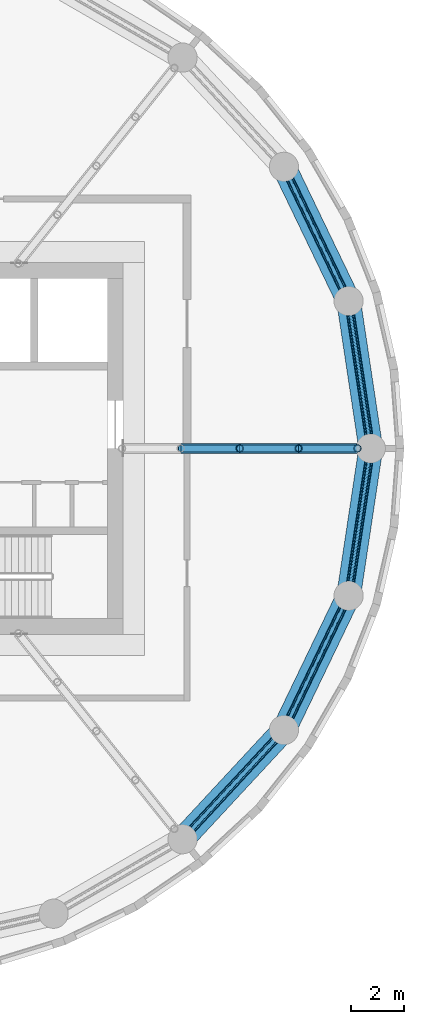
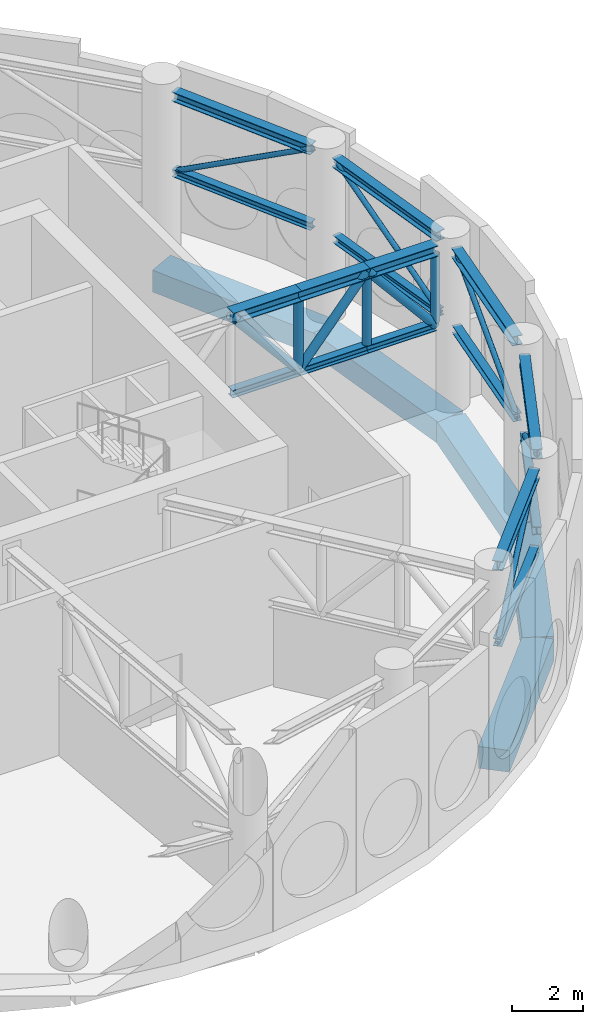
# One storey, part 5 of 13: 27 members, 5 beams.
"""IFC4 building model written with IfcOpenShell, lengths in metres."""

from ifc_helpers import new_model, si_unit, direction, frame, origin, origin_2d, place, context, subcontext, project, spatial, rectangle, hollow_circle, i_section, extrude, material, material_profile, profile_set, type_object, element, save


model = new_model("IFC4")

# Units and contexts
model_context = context("Model", 3, precision=1e-05, world=origin(), true_north=direction((0.0, 1.0)))
body_context = subcontext(model_context, "Body", "Model", "MODEL_VIEW")
ifc_project = project(units=[si_unit("LENGTHUNIT", "METRE"), si_unit("AREAUNIT", "SQUARE_METRE"), si_unit("VOLUMEUNIT", "CUBIC_METRE"), si_unit("PLANEANGLEUNIT", "RADIAN"), si_unit("MASSUNIT", "GRAM", prefix="KILO")], contexts=[model_context])

# Site, building, storey
site_placement = place(None, origin())
site = spatial("IfcSite", under=ifc_project, at=site_placement, CompositionType="ELEMENT")
building_placement = place(site_placement, origin())
building = spatial("IfcBuilding", under=site, at=building_placement, Name="Tracery Tower", CompositionType="ELEMENT")
storey_placement = place(building_placement, frame((0.0, 0.0, 277.800048828125)))
storey = spatial("IfcBuildingStorey", under=building, at=storey_placement, Name="L72 Plant", CompositionType="ELEMENT", Elevation=277.800048828125)

# Members
ifc_material_1 = material(Name="Steel S355", Category="steel")
ifc_material_profile_1 = material_profile(ifc_material_1, i_section(OverallWidth=0.25634765625, OverallDepth=0.26025390625, WebThickness=0.01025390625, FlangeThickness=0.017333984375, FilletRadius=0.0126953125, at=origin_2d()), Name="UKC 254x254x89")
ifc_profile_set_1 = profile_set([ifc_material_profile_1], Name="Steel S355")
member_type_1 = type_object("IfcMemberType", Name="Belt truss bottom chord UKC 254x254x89", PredefinedType="CHORD", material=ifc_profile_set_1)
member_1_placement = place(storey_placement, frame((18.755126953125, 0.445068359375, 2.830078125), z_axis=(-0.149065283454, 0.988827356655, 0.0), x_axis=(-0.988827356655, -0.149065283454, 0.0)))
element("IfcMember", 1, at=member_1_placement, inside=storey, type_object=member_type_1, Name="Belt truss bottom chord 1", PredefinedType="CHORD", context=body_context, shape_type="SweptSolid", body=[
    extrude(i_section(OverallWidth=0.25634765625, OverallDepth=0.26025390625, WebThickness=0.01025390625, FlangeThickness=0.017333984375, FilletRadius=0.0126953125, at=origin_2d()), origin(), (0.0, 0.0, 1.0), 4.71044921875),
])
for number, where, z_axis, x_axis, name in (
    (2, (17.790771484375, 5.953369140625, 2.830078125), (-0.433896647393, 0.900962651491, 0.0), (-0.900962651491, -0.433896647393, 0.0), "Belt truss bottom chord 2"),
    (3, (12.04150390625, -14.385986328125, 2.830078125), (0.680180699455, 0.733044484386, 0.0), (-0.733044484386, 0.680180699455, 0.0), "Belt truss bottom chord 19"),
    (4, (15.746826171875, -10.197509765625, 2.830078125), (0.433896647393, 0.900962651491, 0.0), (-0.900962651491, 0.433896647393, 0.0), "Belt truss bottom chord 20"),
):
    element("IfcMember", number, at=place(storey_placement, frame(where, z_axis=z_axis, x_axis=x_axis)), inside=storey, type_object=member_type_1, Name=name, PredefinedType="CHORD", context=body_context, shape_type="SweptSolid", body=[
        extrude(i_section(OverallWidth=0.25634765625, OverallDepth=0.26025390625, WebThickness=0.01025390625, FlangeThickness=0.017333984375, FilletRadius=0.0126953125, at=origin_2d()), origin(), (0.0, 0.0, 1.0), 4.710693359375),
    ])
member_2_placement = place(storey_placement, frame((18.052978515625, -5.102783203125, 2.830078125), z_axis=(0.149065283454, 0.988827356655, 0.0), x_axis=(-0.988827356655, 0.149065283454, 0.0)))
element("IfcMember", 5, at=member_2_placement, inside=storey, type_object=member_type_1, Name="Belt truss bottom chord 21", PredefinedType="CHORD", context=body_context, shape_type="SweptSolid", body=[
    extrude(i_section(OverallWidth=0.25634765625, OverallDepth=0.26025390625, WebThickness=0.01025390625, FlangeThickness=0.017333984375, FilletRadius=0.0126953125, at=origin_2d()), origin(), (0.0, 0.0, 1.0), 4.71044921875),
])
ifc_material_2 = material(Name="Steel S355", Category="steel")
ifc_material_profile_2 = material_profile(ifc_material_2, hollow_circle(Radius=0.084228515625, WallThickness=0.008056640625, at=origin_2d()), Name="CHS 168.3x8")
ifc_profile_set_2 = profile_set([ifc_material_profile_2], Name="Steel S355")
member_type_2 = type_object("IfcMemberType", Name="Belt truss diagonal CHS 168.3x8", PredefinedType="BRACE", material=ifc_profile_set_2)
member_3_placement = place(storey_placement, frame((18.755126953125, 0.445068359375, 2.830078125), z_axis=(-0.130047117988, 0.862669998947, 0.488761925706), x_axis=(-0.988827356655, -0.149065283454, 0.0)))
element("IfcMember", 6, at=member_3_placement, inside=storey, type_object=member_type_2, Name="Belt truss diagonal 1", PredefinedType="BRACE", context=body_context, shape_type="SweptSolid", body=[
    extrude(hollow_circle(Radius=0.084228515625, WallThickness=0.008056640625, at=origin_2d()), origin(), (0.0, 0.0, 1.0), 5.399169921875),
])
for number, where, z_axis, x_axis, name in (
    (7, (17.790771484375, 5.953369140625, 5.468994140625), (-0.378545262069, 0.786028527928, -0.488735754624), (-0.900962651491, -0.433896647393, 0.0), "Belt truss diagonal 2"),
    (8, (12.04150390625, -14.385986328125, 2.830078125), (0.593410988412, 0.639531013418, 0.488736617932), (-0.733044484386, 0.680180699455, 0.0), "Belt truss diagonal 19"),
    (9, (15.746826171875, -10.197509765625, 5.468994140625), (0.378545262069, 0.786028527928, -0.488735754624), (-0.900962651491, 0.433896647393, 0.0), "Belt truss diagonal 20"),
):
    element("IfcMember", number, at=place(storey_placement, frame(where, z_axis=z_axis, x_axis=x_axis)), inside=storey, type_object=member_type_2, Name=name, PredefinedType="BRACE", context=body_context, shape_type="SweptSolid", body=[
        extrude(hollow_circle(Radius=0.084228515625, WallThickness=0.008056640625, at=origin_2d()), origin(), (0.0, 0.0, 1.0), 5.3994140625),
    ])
member_4_placement = place(storey_placement, frame((18.052978515625, -5.102783203125, 2.830078125), z_axis=(0.130047117988, 0.862669998947, 0.488761925706), x_axis=(-0.988827356655, 0.149065283454, 0.0)))
element("IfcMember", 10, at=member_4_placement, inside=storey, type_object=member_type_2, Name="Belt truss diagonal 21", PredefinedType="BRACE", context=body_context, shape_type="SweptSolid", body=[
    extrude(hollow_circle(Radius=0.084228515625, WallThickness=0.008056640625, at=origin_2d()), origin(), (0.0, 0.0, 1.0), 5.399169921875),
])
ifc_material_3 = material(Name="Steel S355", Category="steel")
ifc_material_profile_3 = material_profile(ifc_material_3, i_section(OverallWidth=0.30908203125, OverallDepth=0.320556640625, WebThickness=0.013916015625, FlangeThickness=0.021728515625, FilletRadius=0.01513671875, at=origin_2d()), Name="UKC 305x305x137")
ifc_profile_set_3 = profile_set([ifc_material_profile_3], Name="Steel S355")
member_type_3 = type_object("IfcMemberType", Name="Belt truss top chord UKC 305x305x137", PredefinedType="CHORD", material=ifc_profile_set_3)
member_5_placement = place(storey_placement, frame((18.755126953125, 0.445068359375, 5.468994140625), z_axis=(-0.149065283454, 0.988827356655, 0.0), x_axis=(-0.988827356655, -0.149065283454, 0.0)))
element("IfcMember", 11, at=member_5_placement, inside=storey, type_object=member_type_3, Name="Belt truss top chord 1", PredefinedType="CHORD", context=body_context, shape_type="SweptSolid", body=[
    extrude(i_section(OverallWidth=0.30908203125, OverallDepth=0.320556640625, WebThickness=0.013916015625, FlangeThickness=0.021728515625, FilletRadius=0.01513671875, at=origin_2d()), origin(), (0.0, 0.0, 1.0), 4.71044921875),
])
for number, where, z_axis, x_axis, name in (
    (12, (17.790771484375, 5.953369140625, 5.468994140625), (-0.433896647393, 0.900962651491, 0.0), (-0.900962651491, -0.433896647393, 0.0), "Belt truss top chord 2"),
    (13, (12.04150390625, -14.385986328125, 5.468994140625), (0.680180699455, 0.733044484386, 0.0), (-0.733044484386, 0.680180699455, 0.0), "Belt truss top chord 19"),
    (14, (15.746826171875, -10.197509765625, 5.468994140625), (0.433896647393, 0.900962651491, 0.0), (-0.900962651491, 0.433896647393, 0.0), "Belt truss top chord 20"),
):
    element("IfcMember", number, at=place(storey_placement, frame(where, z_axis=z_axis, x_axis=x_axis)), inside=storey, type_object=member_type_3, Name=name, PredefinedType="CHORD", context=body_context, shape_type="SweptSolid", body=[
        extrude(i_section(OverallWidth=0.30908203125, OverallDepth=0.320556640625, WebThickness=0.013916015625, FlangeThickness=0.021728515625, FilletRadius=0.01513671875, at=origin_2d()), origin(), (0.0, 0.0, 1.0), 4.710693359375),
    ])
member_6_placement = place(storey_placement, frame((18.052978515625, -5.102783203125, 5.468994140625), z_axis=(0.149065283454, 0.988827356655, 0.0), x_axis=(-0.988827356655, 0.149065283454, 0.0)))
element("IfcMember", 15, at=member_6_placement, inside=storey, type_object=member_type_3, Name="Belt truss top chord 21", PredefinedType="CHORD", context=body_context, shape_type="SweptSolid", body=[
    extrude(i_section(OverallWidth=0.30908203125, OverallDepth=0.320556640625, WebThickness=0.013916015625, FlangeThickness=0.021728515625, FilletRadius=0.01513671875, at=origin_2d()), origin(), (0.0, 0.0, 1.0), 4.71044921875),
])
ifc_material_4 = material(Name="Steel S355", Category="steel")
ifc_material_profile_4 = material_profile(ifc_material_4, i_section(OverallWidth=0.25634765625, OverallDepth=0.26025390625, WebThickness=0.01025390625, FlangeThickness=0.017333984375, FilletRadius=0.0126953125, at=origin_2d()), Name="UKC 254x254x89")
ifc_profile_set_4 = profile_set([ifc_material_profile_4], Name="Steel S355")
member_type_4 = type_object("IfcMemberType", Name="Outrigger bottom chord UKC 254x254x89", PredefinedType="CHORD", material=ifc_profile_set_4)
member_7_placement = place(storey_placement, frame((11.668212890625, 0.0, 2.830078125), z_axis=(1.0, 0.0, 0.0), x_axis=(0.0, 1.0, 0.0)))
element("IfcMember", 16, at=member_7_placement, inside=storey, type_object=member_type_4, Name="Outrigger 1 bottom chord 2", PredefinedType="CHORD", context=body_context, shape_type="SweptSolid", body=[
    extrude(i_section(OverallWidth=0.25634765625, OverallDepth=0.26025390625, WebThickness=0.01025390625, FlangeThickness=0.017333984375, FilletRadius=0.0126953125, at=origin_2d()), origin(), (0.0, 0.0, 1.0), 2.2177734375),
])
member_8_placement = place(storey_placement, frame((13.885986328125, 0.0, 2.830078125), z_axis=(1.0, 0.0, 0.0), x_axis=(0.0, 1.0, 0.0)))
element("IfcMember", 17, at=member_8_placement, inside=storey, type_object=member_type_4, Name="Outrigger 1 bottom chord 3", PredefinedType="CHORD", context=body_context, shape_type="SweptSolid", body=[
    extrude(i_section(OverallWidth=0.25634765625, OverallDepth=0.26025390625, WebThickness=0.01025390625, FlangeThickness=0.017333984375, FilletRadius=0.0126953125, at=origin_2d()), origin(), (0.0, 0.0, 1.0), 2.21826171875),
])
member_9_placement = place(storey_placement, frame((16.104248046875, 0.0, 2.830078125), z_axis=(1.0, 0.0, 0.0), x_axis=(0.0, 1.0, 0.0)))
element("IfcMember", 18, at=member_9_placement, inside=storey, type_object=member_type_4, Name="Outrigger 1 bottom chord 4", PredefinedType="CHORD", context=body_context, shape_type="SweptSolid", body=[
    extrude(i_section(OverallWidth=0.25634765625, OverallDepth=0.26025390625, WebThickness=0.01025390625, FlangeThickness=0.017333984375, FilletRadius=0.0126953125, at=origin_2d()), origin(), (0.0, 0.0, 1.0), 2.218017578125),
])
ifc_material_5 = material(Name="Steel S355", Category="steel")
ifc_material_profile_5 = material_profile(ifc_material_5, hollow_circle(Radius=0.136474609375, WallThickness=0.012451171875, at=origin_2d()), Name="CHS 273x12.5")
ifc_profile_set_5 = profile_set([ifc_material_profile_5], Name="Steel S355")
member_type_5 = type_object("IfcMemberType", Name="Outrigger diagonal CHS 273x12.5", PredefinedType="BRACE", material=ifc_profile_set_5)
member_10_placement = place(storey_placement, frame((11.668212890625, 0.0, 5.468994140625), z_axis=(0.643376439287, 0.0, -0.765549970525), x_axis=(0.0, 1.0, 0.0)))
element("IfcMember", 19, at=member_10_placement, inside=storey, type_object=member_type_5, Name="Outrigger 1 diagonal 2", PredefinedType="BRACE", context=body_context, shape_type="SweptSolid", body=[
    extrude(hollow_circle(Radius=0.136474609375, WallThickness=0.012451171875, at=origin_2d()), origin(), (0.0, 0.0, 1.0), 3.447021484375),
])
member_11_placement = place(storey_placement, frame((13.885986328125, 0.0, 2.830078125), z_axis=(0.643459444571, 0.0, 0.765480204311), x_axis=(0.0, 1.0, 0.0)))
element("IfcMember", 20, at=member_11_placement, inside=storey, type_object=member_type_5, Name="Outrigger 1 diagonal 3", PredefinedType="BRACE", context=body_context, shape_type="SweptSolid", body=[
    extrude(hollow_circle(Radius=0.136474609375, WallThickness=0.012451171875, at=origin_2d()), origin(), (0.0, 0.0, 1.0), 3.447509765625),
])
member_12_placement = place(storey_placement, frame((16.104248046875, 0.0, 5.468994140625), z_axis=(0.643417944766, 0.0, -0.765515086954), x_axis=(0.0, 1.0, 0.0)))
element("IfcMember", 21, at=member_12_placement, inside=storey, type_object=member_type_5, Name="Outrigger 1 diagonal 4", PredefinedType="BRACE", context=body_context, shape_type="SweptSolid", body=[
    extrude(hollow_circle(Radius=0.136474609375, WallThickness=0.012451171875, at=origin_2d()), origin(), (0.0, 0.0, 1.0), 3.447265625),
])
ifc_material_6 = material(Name="Steel S355", Category="steel")
ifc_material_profile_6 = material_profile(ifc_material_6, hollow_circle(Radius=0.136474609375, WallThickness=0.012451171875, at=origin_2d()), Name="CHS 273x12.5")
ifc_profile_set_6 = profile_set([ifc_material_profile_6], Name="Steel S355")
member_type_6 = type_object("IfcMemberType", Name="Outrigger post CHS 273x12.5", PredefinedType="POST", material=ifc_profile_set_6)
for number, where, z_axis, x_axis, name in (
    (22, (13.885986328125, 0.0, 2.960205078125), (0.0, 0.0, 1.0), (1.0, 0.0, 0.0), "Outrigger 1 post 3"),
    (23, (16.104248046875, 0.0, 2.960205078125), (0.0, 0.0, 1.0), (1.0, 0.0, 0.0), "Outrigger 1 post 4"),
    (24, (18.322265625, 0.0, 2.960205078125), (0.0, 0.0, 1.0), (1.0, 0.0, 0.0), "Outrigger 1 post 5"),
):
    element("IfcMember", number, at=place(storey_placement, frame(where, z_axis=z_axis, x_axis=x_axis)), inside=storey, type_object=member_type_6, Name=name, PredefinedType="POST", context=body_context, shape_type="SweptSolid", body=[
        extrude(hollow_circle(Radius=0.136474609375, WallThickness=0.012451171875, at=origin_2d()), origin(), (0.0, 0.0, 1.0), 2.32763671875),
    ])
ifc_material_7 = material(Name="Steel S355", Category="steel")
ifc_material_profile_7 = material_profile(ifc_material_7, i_section(OverallWidth=0.37060546875, OverallDepth=0.362060546875, WebThickness=0.01220703125, FlangeThickness=0.020751953125, FilletRadius=0.01513671875, at=origin_2d()), Name="UKC 356x368x153")
ifc_profile_set_7 = profile_set([ifc_material_profile_7], Name="Steel S355")
member_type_7 = type_object("IfcMemberType", Name="Outrigger top chord UKC 356x368x153", PredefinedType="CHORD", material=ifc_profile_set_7)
member_13_placement = place(storey_placement, frame((11.668212890625, 0.0, 5.468994140625), z_axis=(1.0, 0.0, 0.0), x_axis=(0.0, 1.0, 0.0)))
element("IfcMember", 25, at=member_13_placement, inside=storey, type_object=member_type_7, Name="Outrigger 1 top chord 2", PredefinedType="CHORD", context=body_context, shape_type="SweptSolid", body=[
    extrude(i_section(OverallWidth=0.37060546875, OverallDepth=0.362060546875, WebThickness=0.01220703125, FlangeThickness=0.020751953125, FilletRadius=0.01513671875, at=origin_2d()), origin(), (0.0, 0.0, 1.0), 2.2177734375),
])
member_14_placement = place(storey_placement, frame((13.885986328125, 0.0, 5.468994140625), z_axis=(1.0, 0.0, 0.0), x_axis=(0.0, 1.0, 0.0)))
element("IfcMember", 26, at=member_14_placement, inside=storey, type_object=member_type_7, Name="Outrigger 1 top chord 3", PredefinedType="CHORD", context=body_context, shape_type="SweptSolid", body=[
    extrude(i_section(OverallWidth=0.37060546875, OverallDepth=0.362060546875, WebThickness=0.01220703125, FlangeThickness=0.020751953125, FilletRadius=0.01513671875, at=origin_2d()), origin(), (0.0, 0.0, 1.0), 2.21826171875),
])
member_15_placement = place(storey_placement, frame((16.104248046875, 0.0, 5.468994140625), z_axis=(1.0, 0.0, 0.0), x_axis=(0.0, 1.0, 0.0)))
element("IfcMember", 27, at=member_15_placement, inside=storey, type_object=member_type_7, Name="Outrigger 1 top chord 4", PredefinedType="CHORD", context=body_context, shape_type="SweptSolid", body=[
    extrude(i_section(OverallWidth=0.37060546875, OverallDepth=0.362060546875, WebThickness=0.01220703125, FlangeThickness=0.020751953125, FilletRadius=0.01513671875, at=origin_2d()), origin(), (0.0, 0.0, 1.0), 2.218017578125),
])

# Beams
ifc_material_8 = material(Name="Concrete C40/50", Category="concrete")
ifc_material_profile_8 = material_profile(ifc_material_8, rectangle(XDim=0.89990234375, YDim=0.75, at=origin_2d()), Name="RC 900x750")
ifc_profile_set_8 = profile_set([ifc_material_profile_8], Name="Concrete C40/50")
beam_type = type_object("IfcBeamType", Name="Plant level band beam 900x750", PredefinedType="BEAM", material=ifc_profile_set_8)
for number, where, z_axis, x_axis, name in (
    (28, (18.822265625, 0.0, -0.875), (-0.149038355855, 0.988831415603, 0.0), (-0.988831415603, -0.149038355855, 0.0), "Perimeter beam 2.00 under L72 Plant"),
    (29, (17.986083984375, 5.5478515625, -0.875), (-0.433918973155, 0.900951899235, 0.0), (-0.900951899235, -0.433918973155, 0.0), "Perimeter beam 2.01 under L72 Plant"),
):
    element("IfcBeam", number, at=place(storey_placement, frame(where, z_axis=z_axis, x_axis=x_axis)), inside=storey, type_object=beam_type, Name=name, PredefinedType="BEAM", context=body_context, shape_type="SweptSolid", body=[
        extrude(rectangle(XDim=0.89990234375, YDim=0.75, at=origin_2d()), origin(), (0.0, 0.0, 1.0), 5.610595703125),
    ])
beam_placement = place(storey_placement, frame((11.7353515625, -14.7158203125, -0.875), z_axis=(0.680155630824, 0.733067744386, 0.0), x_axis=(-0.733067744386, 0.680155630824, 0.0)))
element("IfcBeam", 30, at=beam_placement, inside=storey, type_object=beam_type, Name="Perimeter beam 2.18 under L72 Plant", PredefinedType="BEAM", context=body_context, shape_type="SweptSolid", body=[
    extrude(rectangle(XDim=0.89990234375, YDim=0.75, at=origin_2d()), origin(), (0.0, 0.0, 1.0), 5.61083984375),
])
for number, where, z_axis, x_axis, name in (
    (31, (15.551513671875, -10.602783203125, -0.875), (0.433918973155, 0.900951899235, 0.0), (-0.900951899235, 0.433918973155, 0.0), "Perimeter beam 2.19 under L72 Plant"),
    (32, (17.986083984375, -5.5478515625, -0.875), (0.149038355855, 0.988831415603, 0.0), (-0.988831415603, 0.149038355855, 0.0), "Perimeter beam 2.20 under L72 Plant"),
):
    element("IfcBeam", number, at=place(storey_placement, frame(where, z_axis=z_axis, x_axis=x_axis)), inside=storey, type_object=beam_type, Name=name, PredefinedType="BEAM", context=body_context, shape_type="SweptSolid", body=[
        extrude(rectangle(XDim=0.89990234375, YDim=0.75, at=origin_2d()), origin(), (0.0, 0.0, 1.0), 5.610595703125),
    ])

save(model, "model.ifc")
